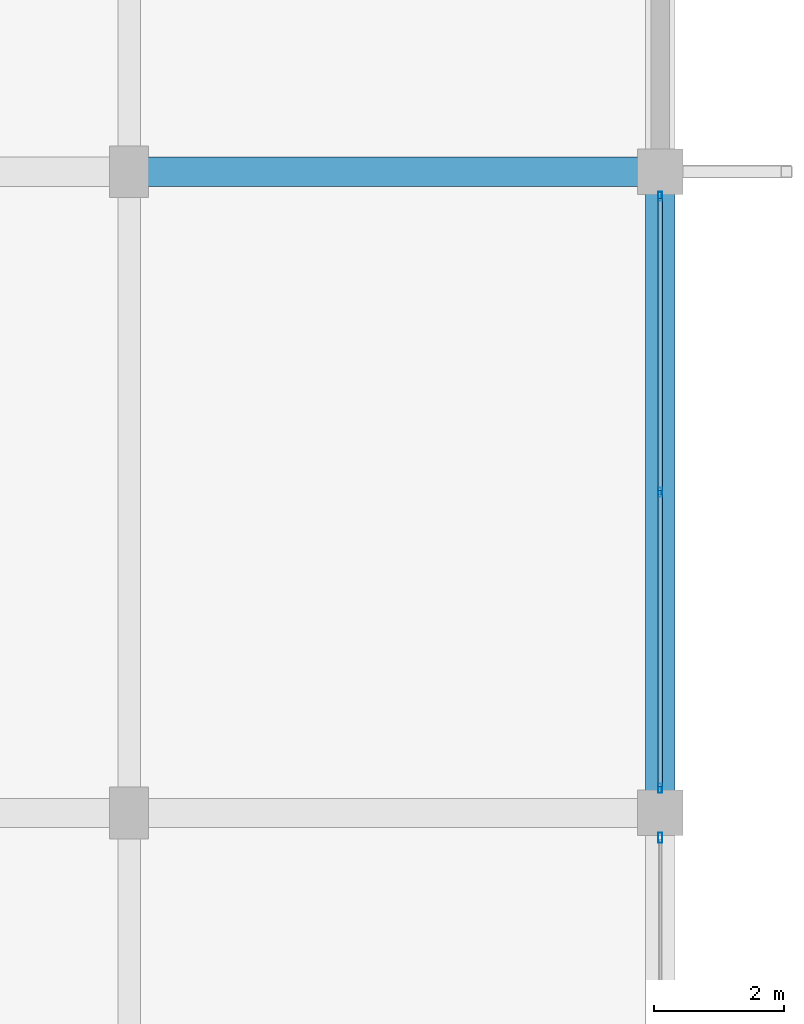
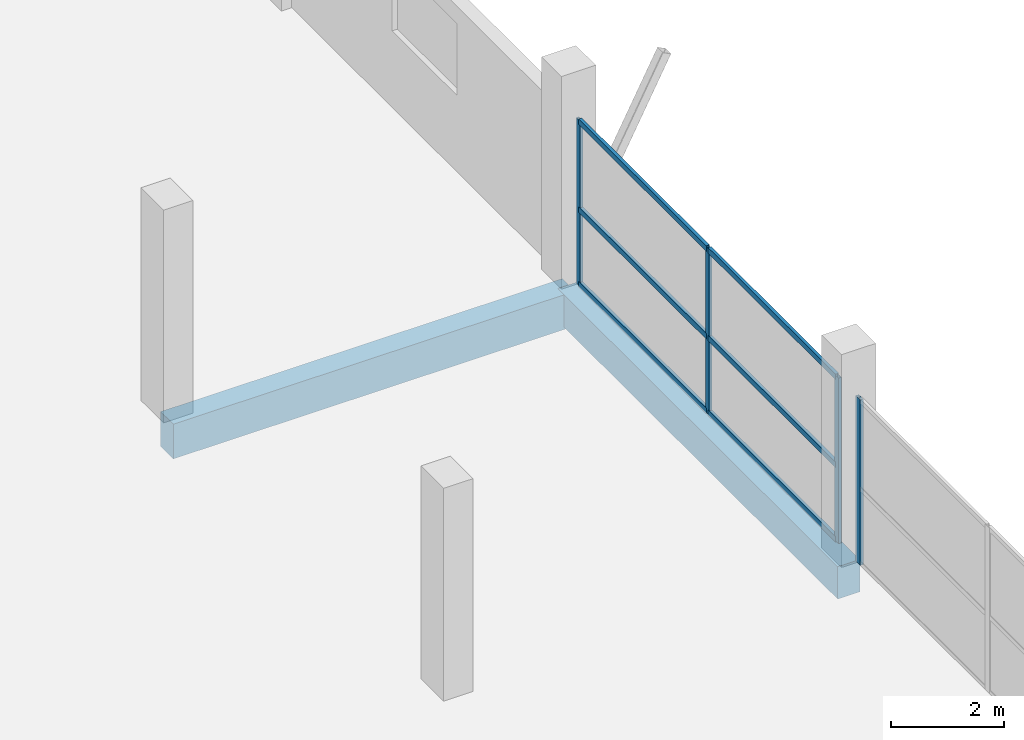
# One storey, part 24 of 49: 10 members, 2 beams, 2 elements without a shape of their own.
"""IFC4 building model written with IfcOpenShell, lengths in metres."""

from ifc_helpers import new_model, si_unit, direction, frame, origin, origin_2d, place, context, subcontext, project, spatial, rectangle, hollow_rectangle, extrude, material, layer, layer_set, material_profile, profile_set, type_object, element, aggregate, save


model = new_model("IFC4")

# Units and contexts
model_context = context("Model", 3, precision=1e-05, world=origin(), true_north=direction((0.0, 1.0)))
body_context = subcontext(model_context, "Body", "Model", "MODEL_VIEW")
ifc_project = project(units=[si_unit("LENGTHUNIT", "METRE"), si_unit("AREAUNIT", "SQUARE_METRE"), si_unit("VOLUMEUNIT", "CUBIC_METRE"), si_unit("PLANEANGLEUNIT", "RADIAN"), si_unit("MASSUNIT", "GRAM", prefix="KILO")], contexts=[model_context])

# Site, building, storey
site_placement = place(None, origin())
site = spatial("IfcSite", under=ifc_project, at=site_placement, CompositionType="ELEMENT")
building_placement = place(site_placement, origin())
building = spatial("IfcBuilding", under=site, at=building_placement, Name="Sillaruma Civic Art Gallery", CompositionType="ELEMENT")
storey_placement = place(building_placement, frame((0.0, 0.0, 33.14990234375)))
storey = spatial("IfcBuildingStorey", under=building, at=storey_placement, Name="L06", CompositionType="ELEMENT", Elevation=33.14990234375)

# Beams
ifc_material_1 = material(Name="Concrete H40 (40 MPa)", Category="concrete")
ifc_material_profile_1 = material_profile(ifc_material_1, rectangle(XDim=0.449951171875, YDim=0.75, at=origin_2d()), Name="RCB450x750")
ifc_profile_set_1 = profile_set([ifc_material_profile_1], Name="Concrete H40 (40 MPa)")
beam_type_1 = type_object("IfcBeamType", Name="BM-BEAM-RCB450x750", PredefinedType="BEAM", material=ifc_profile_set_1)
beam_1_placement = place(storey_placement, frame((106.199951171875, 79.199951171875, -0.614990234375), z_axis=(1.0, 0.0, 0.0), x_axis=(0.0, 1.0, 0.0)))
element("IfcBeam", 1, at=beam_1_placement, inside=storey, type_object=beam_type_1, Name="Beam BM-03 (L05:9:M-N)", PredefinedType="BEAM", context=body_context, shape_type="SweptSolid", body=[
    extrude(rectangle(XDim=0.449951171875, YDim=0.75, at=origin_2d()), origin(), (0.0, 0.0, 1.0), 8.199951171875),
])
ifc_material_2 = material(Name="Concrete H35 (35 MPa)", Category="concrete")
ifc_material_profile_2 = material_profile(ifc_material_2, rectangle(XDim=0.449951171875, YDim=0.699951171875, at=origin_2d()), Name="RCB450x700")
ifc_profile_set_2 = profile_set([ifc_material_profile_2], Name="Concrete H35 (35 MPa)")
beam_type_2 = type_object("IfcBeamType", Name="BM-SPANDREL-RCB450x700", PredefinedType="SPANDREL", material=ifc_profile_set_2)
beam_2_placement = place(storey_placement, frame((114.39990234375, 69.300048828125, -0.58984375), z_axis=(0.0, 1.0, 0.0), x_axis=(-1.0, 0.0, 0.0)))
element("IfcBeam", 2, at=beam_2_placement, inside=storey, type_object=beam_type_2, Name="Beam BS-03 (L05:N:8-9)", PredefinedType="SPANDREL", context=body_context, shape_type="SweptSolid", body=[
    extrude(rectangle(XDim=0.449951171875, YDim=0.699951171875, at=origin_2d()), origin(), (0.0, 0.0, 1.0), 9.89990234375),
])

# Curtain wall, members
ifc_material_3 = material(Name="Thermally Broken Extruded Aluminium 6063-T6", Category="aluminium")
ifc_layer_1 = layer(ifc_material_3, 0.139892578125, Name="Thermally Broken Extruded Aluminium 6063-T6")
ifc_layer_set_1 = layer_set([ifc_layer_1], Name="Thermally Broken Extruded Aluminium 6063-T6")
curtain_wall_type_1 = type_object("IfcCurtainWallType", Name="CW-UNI-40", PredefinedType="NOTDEFINED", material=ifc_layer_set_1)
curtain_wall_1_placement = place(storey_placement, origin())
curtain_wall_1 = element("IfcCurtainWall", 3, at=curtain_wall_1_placement, inside=storey, type_object=curtain_wall_type_1, Name="Unitised Curtain Wall CW-40 (CW-L06-E-6)", PredefinedType="NOTDEFINED")
ifc_material_profile_3 = material_profile(ifc_material_3, hollow_rectangle(XDim=0.06005859375, YDim=0.139892578125, WallThickness=0.00341796875, at=origin_2d()), Name="CWM60x140")
ifc_profile_set_3 = profile_set([ifc_material_profile_3], Name="Thermally Broken Extruded Aluminium 6063-T6")
member_type_1 = type_object("IfcMemberType", Name="MEM-MUL-CWM60x140", PredefinedType="MULLION", material=ifc_profile_set_3)
member_1_placement = place(storey_placement, frame((114.39990234375, 69.679931640625, 0.0), z_axis=(0.0, 0.0, 1.0), x_axis=(-1.0, 0.0, 0.0)))
member_1 = element("IfcMember", 4, at=member_1_placement, type_object=member_type_1, Name="CW-40 mullion 1", PredefinedType="MULLION", context=body_context, shape_type="SweptSolid", body=[
    extrude(hollow_rectangle(XDim=0.06005859375, YDim=0.139892578125, WallThickness=0.00341796875, at=origin_2d()), origin(), (0.0, 0.0, 1.0), 3.570068359375),
])
member_2_placement = place(storey_placement, frame((114.39990234375, 74.25, 0.0), z_axis=(0.0, 0.0, 1.0), x_axis=(-1.0, 0.0, 0.0)))
member_2 = element("IfcMember", 5, at=member_2_placement, type_object=member_type_1, Name="CW-40 mullion 2", PredefinedType="MULLION", context=body_context, shape_type="SweptSolid", body=[
    extrude(hollow_rectangle(XDim=0.06005859375, YDim=0.139892578125, WallThickness=0.00341796875, at=origin_2d()), origin(), (0.0, 0.0, 1.0), 3.570068359375),
])
member_3_placement = place(storey_placement, frame((114.39990234375, 78.820068359375, 0.0), z_axis=(0.0, 0.0, 1.0), x_axis=(-1.0, 0.0, 0.0)))
member_3 = element("IfcMember", 6, at=member_3_placement, type_object=member_type_1, Name="CW-40 mullion 3", PredefinedType="MULLION", context=body_context, shape_type="SweptSolid", body=[
    extrude(hollow_rectangle(XDim=0.06005859375, YDim=0.139892578125, WallThickness=0.00341796875, at=origin_2d()), origin(), (0.0, 0.0, 1.0), 3.570068359375),
])

# Curtain wall, member
ifc_layer_2 = layer(ifc_material_3, 0.159912109375, Name="Thermally Broken Extruded Aluminium 6063-T6")
ifc_layer_set_2 = layer_set([ifc_layer_2], Name="Thermally Broken Extruded Aluminium 6063-T6")
curtain_wall_type_2 = type_object("IfcCurtainWallType", Name="CW-UNI-35", PredefinedType="NOTDEFINED", material=ifc_layer_set_2)
curtain_wall_2_placement = place(storey_placement, origin())
curtain_wall_2 = element("IfcCurtainWall", 7, at=curtain_wall_2_placement, inside=storey, type_object=curtain_wall_type_2, Name="Unitised Curtain Wall CW-35 (CW-L06-E-5)", PredefinedType="NOTDEFINED")
ifc_material_profile_4 = material_profile(ifc_material_3, hollow_rectangle(XDim=0.06494140625, YDim=0.159912109375, WallThickness=0.00390625, at=origin_2d()), Name="CWM65x160")
ifc_profile_set_4 = profile_set([ifc_material_profile_4], Name="Thermally Broken Extruded Aluminium 6063-T6")
member_type_2 = type_object("IfcMemberType", Name="MEM-MUL-CWM65x160", PredefinedType="MULLION", material=ifc_profile_set_4)
member_4_placement = place(storey_placement, frame((114.39990234375, 68.91748046875, 0.0), z_axis=(0.0, 0.0, 1.0), x_axis=(-1.0, 0.0, 0.0)))
member_4 = element("IfcMember", 8, at=member_4_placement, type_object=member_type_2, Name="CW-35 mullion 3", PredefinedType="MULLION", context=body_context, shape_type="SweptSolid", body=[
    extrude(hollow_rectangle(XDim=0.06494140625, YDim=0.159912109375, WallThickness=0.00390625, at=origin_2d()), origin(), (0.0, 0.0, 1.0), 3.570068359375),
])
aggregate(curtain_wall_2, [member_4])

# Member
ifc_material_profile_5 = material_profile(ifc_material_3, hollow_rectangle(XDim=0.06494140625, YDim=0.1201171875, WallThickness=0.00341796875, at=origin_2d()), Name="CWT65x120")
ifc_profile_set_5 = profile_set([ifc_material_profile_5], Name="Thermally Broken Extruded Aluminium 6063-T6")
member_type_3 = type_object("IfcMemberType", Name="MEM-TRN-CWT65x120", PredefinedType="USERDEFINED", material=ifc_profile_set_5)
member_5_placement = place(storey_placement, frame((114.39990234375, 69.7099609375, 0.03271484375), z_axis=(0.0, 1.0, 0.0), x_axis=(-1.0, 0.0, 0.0)))
member_5 = element("IfcMember", 9, at=member_5_placement, type_object=member_type_3, Name="CW-40 transom 1.1", ObjectType="TRANSOM", PredefinedType="USERDEFINED", context=body_context, shape_type="SweptSolid", body=[
    extrude(hollow_rectangle(XDim=0.06494140625, YDim=0.1201171875, WallThickness=0.00341796875, at=origin_2d()), origin(), (0.0, 0.0, 1.0), 4.510009765625),
])

member_6_placement = place(storey_placement, frame((114.39990234375, 69.7099609375, 1.642333984375), z_axis=(0.0, 1.0, 0.0), x_axis=(-1.0, 0.0, 0.0)))
member_6 = element("IfcMember", 10, at=member_6_placement, type_object=member_type_3, Name="CW-40 transom 1.2", ObjectType="TRANSOM", PredefinedType="USERDEFINED", context=body_context, shape_type="SweptSolid", body=[
    extrude(hollow_rectangle(XDim=0.06494140625, YDim=0.1201171875, WallThickness=0.00341796875, at=origin_2d()), origin(), (0.0, 0.0, 1.0), 4.510009765625),
])

member_7_placement = place(storey_placement, frame((114.39990234375, 69.7099609375, 3.53759765625), z_axis=(0.0, 1.0, 0.0), x_axis=(-1.0, 0.0, 0.0)))
member_7 = element("IfcMember", 11, at=member_7_placement, type_object=member_type_3, Name="CW-40 transom 1.3", ObjectType="TRANSOM", PredefinedType="USERDEFINED", context=body_context, shape_type="SweptSolid", body=[
    extrude(hollow_rectangle(XDim=0.06494140625, YDim=0.1201171875, WallThickness=0.00341796875, at=origin_2d()), origin(), (0.0, 0.0, 1.0), 4.510009765625),
])

member_8_placement = place(storey_placement, frame((114.39990234375, 74.280029296875, 0.03271484375), z_axis=(0.0, 1.0, 0.0), x_axis=(-1.0, 0.0, 0.0)))
member_8 = element("IfcMember", 12, at=member_8_placement, type_object=member_type_3, Name="CW-40 transom 2.1", ObjectType="TRANSOM", PredefinedType="USERDEFINED", context=body_context, shape_type="SweptSolid", body=[
    extrude(hollow_rectangle(XDim=0.06494140625, YDim=0.1201171875, WallThickness=0.00341796875, at=origin_2d()), origin(), (0.0, 0.0, 1.0), 4.510009765625),
])

member_9_placement = place(storey_placement, frame((114.39990234375, 74.280029296875, 1.642333984375), z_axis=(0.0, 1.0, 0.0), x_axis=(-1.0, 0.0, 0.0)))
member_9 = element("IfcMember", 13, at=member_9_placement, type_object=member_type_3, Name="CW-40 transom 2.2", ObjectType="TRANSOM", PredefinedType="USERDEFINED", context=body_context, shape_type="SweptSolid", body=[
    extrude(hollow_rectangle(XDim=0.06494140625, YDim=0.1201171875, WallThickness=0.00341796875, at=origin_2d()), origin(), (0.0, 0.0, 1.0), 4.510009765625),
])

member_10_placement = place(storey_placement, frame((114.39990234375, 74.280029296875, 3.53759765625), z_axis=(0.0, 1.0, 0.0), x_axis=(-1.0, 0.0, 0.0)))
member_10 = element("IfcMember", 14, at=member_10_placement, type_object=member_type_3, Name="CW-40 transom 2.3", ObjectType="TRANSOM", PredefinedType="USERDEFINED", context=body_context, shape_type="SweptSolid", body=[
    extrude(hollow_rectangle(XDim=0.06494140625, YDim=0.1201171875, WallThickness=0.00341796875, at=origin_2d()), origin(), (0.0, 0.0, 1.0), 4.510009765625),
])

aggregate(curtain_wall_1, [member_1, member_2, member_3, member_5, member_6, member_7, member_8, member_9, member_10])

save(model, "model.ifc")
